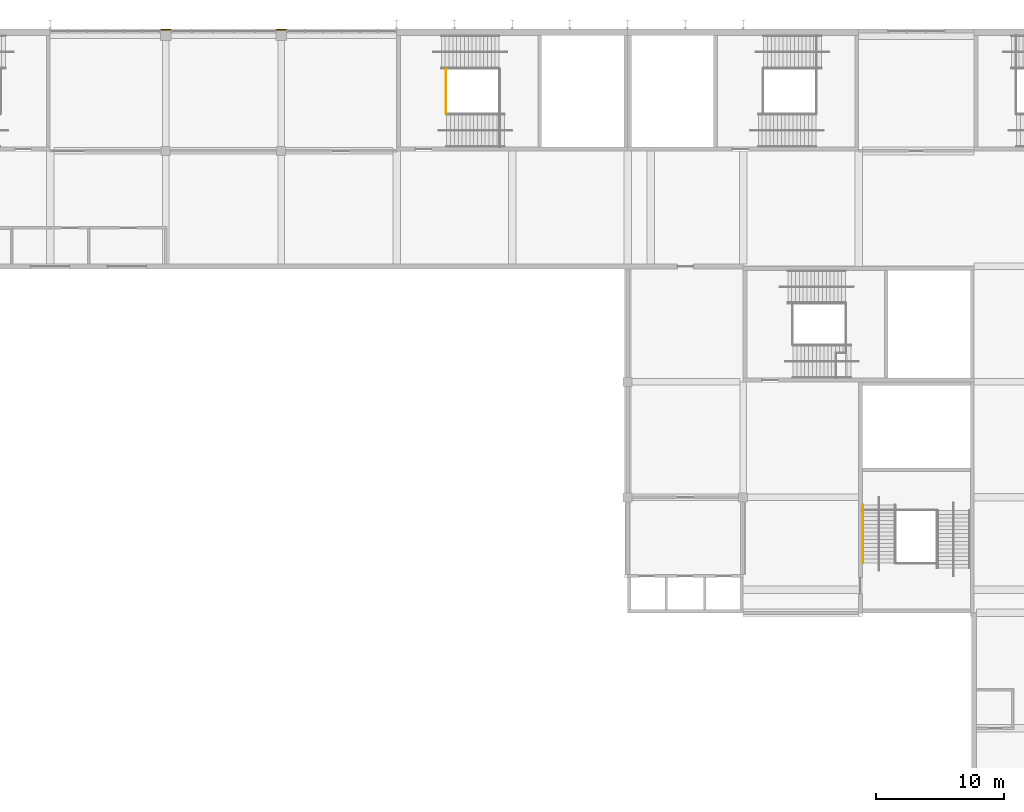
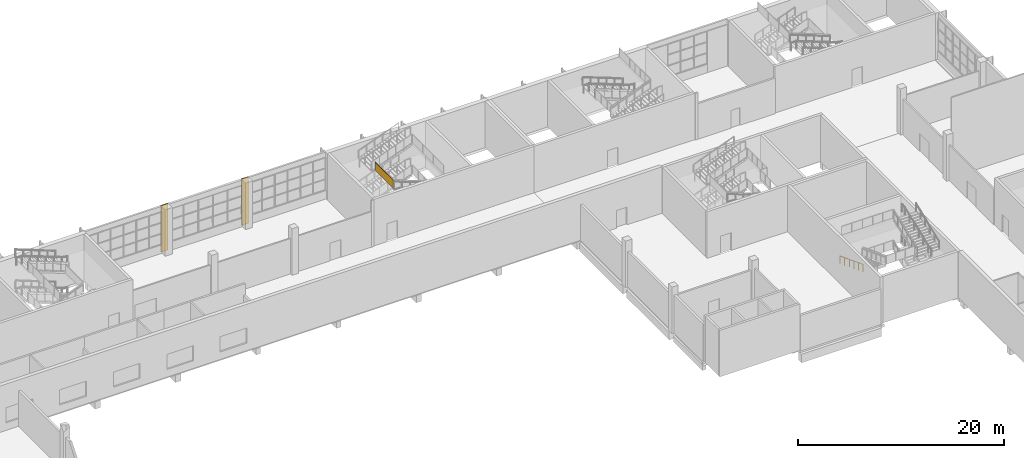
# One storey, part 75 of 84: 2 coverings, 2 railings.
"""IFC4 building model written with IfcOpenShell, lengths in metres."""

from ifc_helpers import new_model, si_unit, direction, frame, origin, origin_2d, place, context, subcontext, project, spatial, polyline, circle, outline, extrude, material, layer, layer_set, type_object, element, save


model = new_model("IFC4")

# Units and contexts
model_context = context("Model", 3, precision=1e-05, world=origin(), true_north=direction((0.0, 1.0)))
body_context = subcontext(model_context, "Body", "Model", "MODEL_VIEW")
ifc_project = project(units=[si_unit("LENGTHUNIT", "METRE"), si_unit("AREAUNIT", "SQUARE_METRE"), si_unit("VOLUMEUNIT", "CUBIC_METRE"), si_unit("PLANEANGLEUNIT", "RADIAN"), si_unit("MASSUNIT", "GRAM", prefix="KILO")], contexts=[model_context])

# Site, building, storey
site_placement = place(None, origin())
site = spatial("IfcSite", under=ifc_project, at=site_placement, CompositionType="ELEMENT")
building_placement = place(site_placement, origin())
building = spatial("IfcBuilding", under=site, at=building_placement, Name="Silverbay Arena", CompositionType="ELEMENT")
storey_placement = place(building_placement, frame((0.0, 0.0, 28.0)))
storey = spatial("IfcBuildingStorey", under=building, at=storey_placement, Name="L04", CompositionType="ELEMENT", Elevation=28.0)

# Coverings
ifc_material_1 = material(Name="Aluminium composite cladding", Category="aluminium")
ifc_layer = layer(ifc_material_1, 0.10009765625)
ifc_layer_set = layer_set([ifc_layer], Name="Aluminium composite cladding")
covering_type = type_object("IfcCoveringType", Name="Column cladding 100", PredefinedType="CLADDING", material=ifc_layer_set)
covering_1_placement = place(storey_placement, origin())
element("IfcCovering", 1, at=covering_1_placement, inside=storey, type_object=covering_type, Name="North column cladding L04 2", PredefinedType="CLADDING", context=body_context, shape_type="SweptSolid", body=[
    extrude(outline(polyline([(125.60009765625, 144.39990234375), (126.39990234375, 144.39990234375), (126.39990234375, 144.5), (125.60009765625, 144.5), (125.60009765625, 144.39990234375)])), origin(), (0.0, 0.0, 1.0), 5.5),
])
covering_2_placement = place(storey_placement, origin())
element("IfcCovering", 2, at=covering_2_placement, inside=storey, type_object=covering_type, Name="North column cladding L04 4", PredefinedType="CLADDING", context=body_context, shape_type="SweptSolid", body=[
    extrude(outline(polyline([(134.60009765625, 144.39990234375), (135.39990234375, 144.39990234375), (135.39990234375, 144.5), (134.60009765625, 144.5), (134.60009765625, 144.39990234375)])), origin(), (0.0, 0.0, 1.0), 5.5),
])

# Railings
ifc_material_2 = material(Name="Stainless steel", Category="steel")
railing_type_1 = type_object("IfcRailingType", Name="Stair guard 1100", PredefinedType="GUARDRAIL", material=ifc_material_2)
railing_1_placement = place(storey_placement, frame((147.85009765625, 137.89990234375, 3.666748046875)))
element("IfcRailing", 3, at=railing_1_placement, inside=storey, type_object=railing_type_1, Name="Stair ST-N3 L04 to L05 landing 2 guard", PredefinedType="GUARDRAIL", context=body_context, shape_type="SweptSolid", body=[
    extrude(circle(Radius=0.02392578125, at=origin_2d()), frame((0.0, 0.0, 1.076171875), z_axis=(0.0, 1.0, 0.0), x_axis=(-1.0, 0.0, 0.0)), (0.0, 0.0, 1.0), 3.5),
    extrude(outline(polyline([(-0.008056640625, 0.050048828125), (1.174560546875, 0.050048828125), (1.174560546875, 1.052978515625), (-0.008056640625, 1.052978515625), (-0.008056640625, 0.050048828125)])), frame((-0.0029296875, 0.0, 0.0), z_axis=(1.0, 0.0, 0.0), x_axis=(0.0, 1.0, 0.0)), (0.0, 0.0, 1.0), 0.006103515625),
    extrude(outline(polyline([(-0.008056640625, 0.050048828125), (1.174560546875, 0.050048828125), (1.174560546875, 1.052978515625), (-0.008056640625, 1.052978515625), (-0.008056640625, 0.050048828125)])), frame((-0.0029296875, 1.166748046875, 0.0), z_axis=(1.0, 0.0, 0.0), x_axis=(0.0, 1.0, 0.0)), (0.0, 0.0, 1.0), 0.006103515625),
    extrude(outline(polyline([(-0.008056640625, 0.050048828125), (1.174560546875, 0.050048828125), (1.174560546875, 1.052978515625), (-0.008056640625, 1.052978515625), (-0.008056640625, 0.050048828125)])), frame((-0.0029296875, 2.333251953125, 0.0), z_axis=(1.0, 0.0, 0.0), x_axis=(0.0, 1.0, 0.0)), (0.0, 0.0, 1.0), 0.006103515625),
    extrude(circle(Radius=0.02099609375, at=origin_2d()), origin(), (0.0, 0.0, 1.0), 1.052001953125),
    extrude(circle(Radius=0.02099609375, at=origin_2d()), frame((0.0, 1.166748046875, 0.0)), (0.0, 0.0, 1.0), 1.052001953125),
    extrude(circle(Radius=0.02099609375, at=origin_2d()), frame((0.0, 2.333251953125, 0.0)), (0.0, 0.0, 1.0), 1.052001953125),
    extrude(circle(Radius=0.02099609375, at=origin_2d()), frame((0.0, 3.5, 0.0)), (0.0, 0.0, 1.0), 1.052001953125),
])
ifc_material_3 = material(Name="Stainless steel", Category="steel")
railing_type_2 = type_object("IfcRailingType", Name="Stair handrail 900", PredefinedType="HANDRAIL", material=ifc_material_3)
railing_2_placement = place(storey_placement, frame((180.35009765625, 107.39990234375, 1.947998046875)))
element("IfcRailing", 4, at=railing_2_placement, inside=storey, type_object=railing_type_2, Name="Stair ST-NE2 L04 to L05 flight 2 handrail left", PredefinedType="HANDRAIL", context=body_context, shape_type="SweptSolid", body=[
    extrude(circle(Radius=0.02392578125, at=origin_2d()), frame((0.0, 0.0, 0.8759765625), z_axis=(0.0, -0.93417907455, 0.356804507641), x_axis=(1.0, 0.0, 0.0)), (0.0, 0.0, 1.0), 4.817138671875),
    extrude(circle(Radius=0.02099609375, at=origin_2d()), origin(), (0.0, 0.0, 1.0), 0.851806640625),
    extrude(circle(Radius=0.02099609375, at=origin_2d()), frame((0.0, -0.89990234375, 0.34375)), (0.0, 0.0, 1.0), 0.851806640625),
    extrude(circle(Radius=0.02099609375, at=origin_2d()), frame((0.0, -1.800048828125, 0.6875)), (0.0, 0.0, 1.0), 0.851806640625),
    extrude(circle(Radius=0.02099609375, at=origin_2d()), frame((0.0, -2.699951171875, 1.03125)), (0.0, 0.0, 1.0), 0.851806640625),
    extrude(circle(Radius=0.02099609375, at=origin_2d()), frame((0.0, -3.60009765625, 1.375)), (0.0, 0.0, 1.0), 0.851806640625),
    extrude(circle(Radius=0.02099609375, at=origin_2d()), frame((0.0, -4.5, 1.71875)), (0.0, 0.0, 1.0), 0.851806640625),
])

save(model, "model.ifc")
